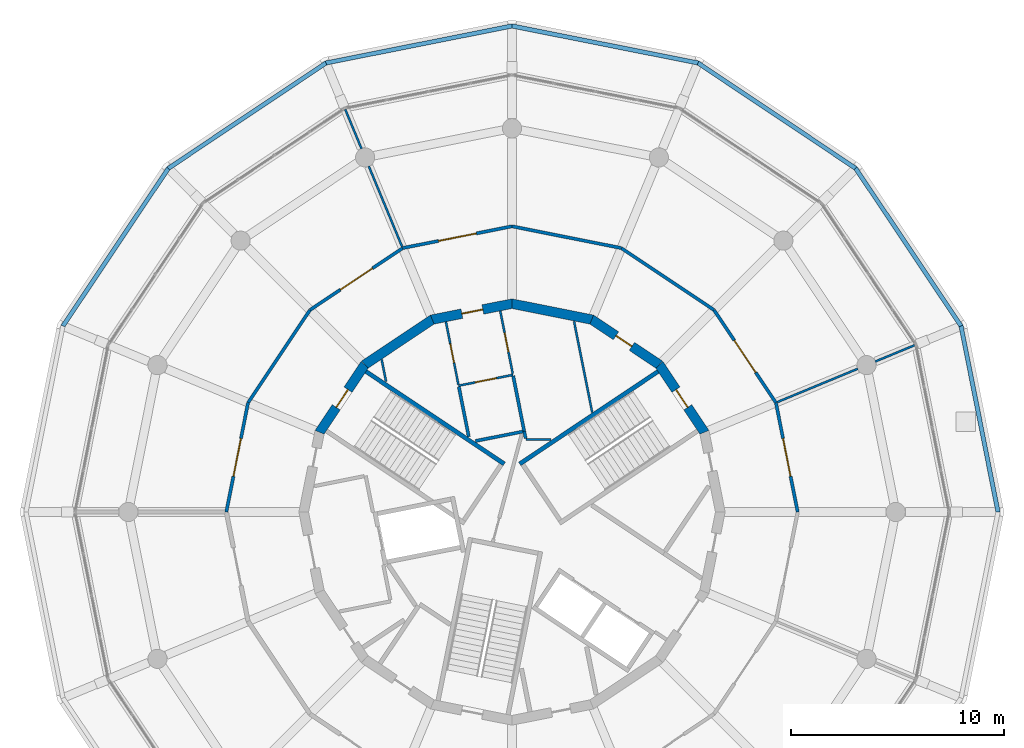
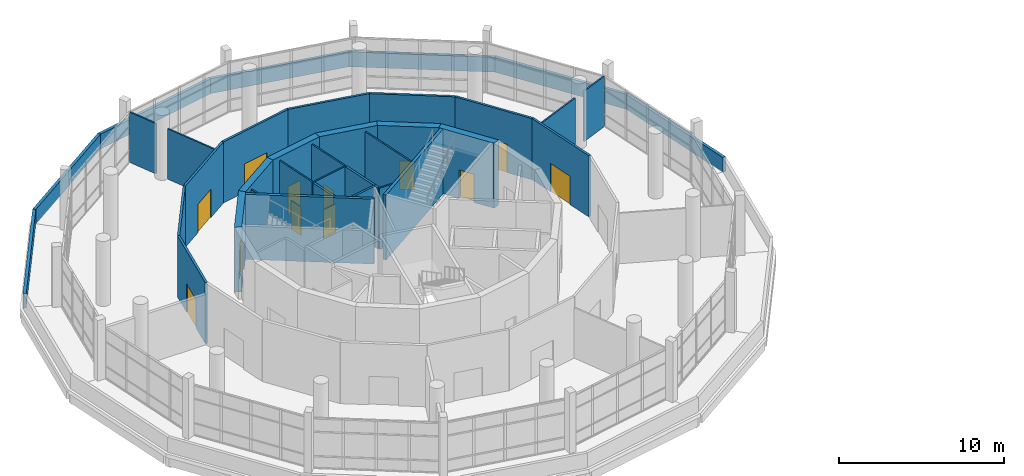
# One storey, part 18 of 21: 37 walls, 12 doors, 12 openings.
"""IFC4 building model written with IfcOpenShell, lengths in metres."""

from ifc_helpers import new_model, si_unit, direction, frame, frame_2d, origin, place, context, subcontext, project, spatial, polyline, rectangle, outline, extrude, material, layer, layer_set, type_object, element, fill, save


model = new_model("IFC4")

# Units and contexts
model_context = context("Model", 3, precision=1e-05, world=origin(), true_north=direction((0.0, 1.0)))
body_context = subcontext(model_context, "Body", "Model", "MODEL_VIEW")
ifc_project = project(units=[si_unit("LENGTHUNIT", "METRE"), si_unit("AREAUNIT", "SQUARE_METRE"), si_unit("VOLUMEUNIT", "CUBIC_METRE"), si_unit("PLANEANGLEUNIT", "RADIAN"), si_unit("MASSUNIT", "GRAM", prefix="KILO")], contexts=[model_context])

# Site, building, storey
site_placement = place(None, origin())
site = spatial("IfcSite", under=ifc_project, at=site_placement, CompositionType="ELEMENT")
building_placement = place(site_placement, origin())
building = spatial("IfcBuilding", under=site, at=building_placement, Name="Ceibo Conservatory and Research Tower", CompositionType="ELEMENT")
storey_placement = place(building_placement, frame((0.0, 0.0, 15.60009765625)))
storey = spatial("IfcBuildingStorey", under=building, at=storey_placement, Name="L03", CompositionType="ELEMENT", Elevation=15.60009765625)

# Wall, opening, door
ifc_material_1 = material(Name="Plasterboard on metal studs")
ifc_layer_1 = layer(ifc_material_1, 0.10009765625)
ifc_layer_set_1 = layer_set([ifc_layer_1], Name="Plasterboard on metal studs")
wall_type_1 = type_object("IfcWallType", Name="Core partition 100", PredefinedType="PARTITIONING", material=ifc_layer_set_1)
wall_1_placement = place(storey_placement, frame((48.0458984375, 126.4326171875, 0.0), z_axis=(0.0, 0.0, 1.0), x_axis=(-0.980778805994, -0.195122868248, 0.0)))
wall_1 = element("IfcWall", 1, at=wall_1_placement, inside=storey, type_object=wall_type_1, Name="Core partition 03.P008", PredefinedType="PARTITIONING", context=body_context, shape_type="SweptSolid", body=[
    extrude(rectangle(XDim=2.60009765625, YDim=0.10009765625, at=frame_2d((1.300048828125, 0.0))), origin(), (0.0, 0.0, 1.0), 4.52001953125),
])
opening_1_placement = place(wall_1_placement, frame((0.800048828125, 0.0, 0.0)))
opening_1 = element("IfcOpeningElement", 2, at=opening_1_placement, cuts=wall_1, Name="Opening C03-14", PredefinedType="OPENING", context=body_context, shape_type="SweptSolid", body=[
    extrude(rectangle(XDim=1.0, YDim=2.10009765625, at=frame_2d((0.5, 1.050048828125))), frame((0.0, 0.06005859375, 0.0), z_axis=(0.0, -1.0, 0.0), x_axis=(1.0, 0.0, 0.0)), (0.0, 0.0, 1.0), 0.1201171875),
])
ifc_material_2 = material(Name="Solid timber", Category="wood")
door_type_1 = type_object("IfcDoorType", Name="Door 1000x2100 (right hand)", OperationType="SINGLE_SWING_RIGHT", PredefinedType="DOOR", material=ifc_material_2)
door_1_placement = place(opening_1_placement, origin())
door_1 = element("IfcDoor", 3, at=door_1_placement, inside=storey, type_object=door_type_1, Name="Door Accessible WC 03.01", OperationType="SINGLE_SWING_RIGHT", OverallHeight=2.10009765625, OverallWidth=1.0, PredefinedType="DOOR", context=body_context, shape_type="SweptSolid", body=[
    extrude(rectangle(XDim=1.0, YDim=2.10009765625, at=frame_2d((0.5, 1.050048828125))), frame((0.0, 0.02490234375, 0.0), z_axis=(0.0, -1.0, 0.0), x_axis=(1.0, 0.0, 0.0)), (0.0, 0.0, 1.0), 0.050048828125),
])
fill(opening_1, door_1)

wall_2_placement = place(storey_placement, frame((45.486083984375, 125.974365234375, 0.0), z_axis=(0.0, 0.0, 1.0), x_axis=(-0.195054549846, 0.980792395252, 0.0)))
wall_2 = element("IfcWall", 4, at=wall_2_placement, inside=storey, type_object=wall_type_1, Name="Core partition 03.P009", PredefinedType="PARTITIONING", context=body_context, shape_type="SweptSolid", body=[
    extrude(rectangle(XDim=3.0078125, YDim=0.10009765625, at=frame_2d((1.50390625, 0.0))), origin(), (0.0, 0.0, 1.0), 4.52001953125),
])
opening_2_placement = place(wall_2_placement, frame((1.053955078125, 0.0, 0.0)))
opening_2 = element("IfcOpeningElement", 5, at=opening_2_placement, cuts=wall_2, Name="Opening C03-15", PredefinedType="OPENING", context=body_context, shape_type="SweptSolid", body=[
    extrude(rectangle(XDim=0.89990234375, YDim=2.10009765625, at=frame_2d((0.449951171875, 1.050048828125))), frame((0.0, 0.06005859375, 0.0), z_axis=(0.0, -1.0, 0.0), x_axis=(1.0, 0.0, 0.0)), (0.0, 0.0, 1.0), 0.1201171875),
])
door_type_2 = type_object("IfcDoorType", Name="Door 900x2100 (right hand)", OperationType="SINGLE_SWING_RIGHT", PredefinedType="DOOR", material=ifc_material_2)
door_2_placement = place(opening_2_placement, origin())
door_2 = element("IfcDoor", 6, at=door_2_placement, inside=storey, type_object=door_type_2, Name="Door Men WC 03.01", OperationType="SINGLE_SWING_RIGHT", OverallHeight=2.10009765625, OverallWidth=0.89990234375, PredefinedType="DOOR", context=body_context, shape_type="SweptSolid", body=[
    extrude(rectangle(XDim=0.89990234375, YDim=2.10009765625, at=frame_2d((0.449951171875, 1.050048828125))), frame((0.0, 0.02490234375, 0.0), z_axis=(0.0, -1.0, 0.0), x_axis=(1.0, 0.0, 0.0)), (0.0, 0.0, 1.0), 0.050048828125),
])
fill(opening_2, door_2)

wall_3_placement = place(storey_placement, frame((47.449462890625, 129.431640625, 0.0), z_axis=(0.0, 0.0, 1.0), x_axis=(0.195054549846, -0.980792395252, 0.0)))
wall_3 = element("IfcWall", 7, at=wall_3_placement, inside=storey, type_object=wall_type_1, Name="Core partition 03.P010", PredefinedType="PARTITIONING", context=body_context, shape_type="SweptSolid", body=[
    extrude(rectangle(XDim=3.0078125, YDim=0.10009765625, at=frame_2d((1.50390625, 0.0))), origin(), (0.0, 0.0, 1.0), 4.52001953125),
])
opening_3_placement = place(wall_3_placement, frame((1.053955078125, 0.0, 0.0)))
opening_3 = element("IfcOpeningElement", 8, at=opening_3_placement, cuts=wall_3, Name="Opening C03-16", PredefinedType="OPENING", context=body_context, shape_type="SweptSolid", body=[
    extrude(rectangle(XDim=0.89990234375, YDim=2.10009765625, at=frame_2d((0.449951171875, 1.050048828125))), frame((0.0, 0.06005859375, 0.0), z_axis=(0.0, -1.0, 0.0), x_axis=(1.0, 0.0, 0.0)), (0.0, 0.0, 1.0), 0.1201171875),
])
door_type_3 = type_object("IfcDoorType", Name="Door 900x2100 (left hand)", OperationType="SINGLE_SWING_LEFT", PredefinedType="DOOR", material=ifc_material_2)
door_3_placement = place(opening_3_placement, origin())
door_3 = element("IfcDoor", 9, at=door_3_placement, inside=storey, type_object=door_type_3, Name="Door Women WC 03.01", OperationType="SINGLE_SWING_LEFT", OverallHeight=2.10009765625, OverallWidth=0.89990234375, PredefinedType="DOOR", context=body_context, shape_type="SweptSolid", body=[
    extrude(rectangle(XDim=0.89990234375, YDim=2.10009765625, at=frame_2d((0.449951171875, 1.050048828125))), frame((0.0, 0.02490234375, 0.0), z_axis=(0.0, -1.0, 0.0), x_axis=(1.0, 0.0, 0.0)), (0.0, 0.0, 1.0), 0.050048828125),
])
fill(opening_3, door_3)

# Walls
wall_4_placement = place(storey_placement, frame((42.092529296875, 126.120361328125, 0.0), z_axis=(0.0, 0.0, 1.0), x_axis=(-0.195175461866, 0.980768341192, 0.0)))
element("IfcWall", 10, at=wall_4_placement, inside=storey, type_object=wall_type_1, Name="Core partition 03.P014", PredefinedType="PARTITIONING", context=body_context, shape_type="SweptSolid", body=[
    extrude(rectangle(XDim=1.04833984375, YDim=0.10009765625, at=frame_2d((0.524169921875, 0.0))), origin(), (0.0, 0.0, 1.0), 4.52001953125),
])
wall_5_placement = place(storey_placement, frame((50.9111328125, 128.943359375, 0.0), z_axis=(0.0, 0.0, 1.0), x_axis=(0.195113868301, -0.980780596462, 0.0)))
element("IfcWall", 11, at=wall_5_placement, inside=storey, type_object=wall_type_1, Name="Core partition 03.P015", PredefinedType="PARTITIONING", context=body_context, shape_type="SweptSolid", body=[
    extrude(rectangle(XDim=4.35693359375, YDim=0.10009765625, at=frame_2d((2.178466796875, 0.0))), origin(), (0.0, 0.0, 1.0), 4.52001953125),
])
wall_6_placement = place(storey_placement, frame((49.823486328125, 123.39990234375, 0.0), z_axis=(0.0, 0.0, 1.0), x_axis=(-1.0, 0.0, 0.0)))
element("IfcWall", 12, at=wall_6_placement, inside=storey, type_object=wall_type_1, Name="Core partition 03.P016", PredefinedType="PARTITIONING", context=body_context, shape_type="SweptSolid", body=[
    extrude(rectangle(XDim=1.17431640625, YDim=0.10009765625, at=frame_2d((0.587158203125, 0.0))), origin(), (0.0, 0.0, 1.0), 4.52001953125),
])

# Wall, opening, door
ifc_material_3 = material(Name="Concrete C35/45", Category="concrete")
ifc_layer_2 = layer(ifc_material_3, 0.449951171875)
ifc_layer_set_2 = layer_set([ifc_layer_2], Name="Concrete C35/45")
wall_type_2 = type_object("IfcWallType", Name="Core wall 450 C35", PredefinedType="SHEAR", material=ifc_layer_set_2)
wall_7_placement = place(storey_placement, frame((57.02685546875, 123.739013671875, 0.0), z_axis=(0.0, 0.0, 1.0), x_axis=(-0.555542277102, 0.83148829117, 0.0)))
wall_7 = element("IfcWall", 13, at=wall_7_placement, inside=storey, type_object=wall_type_2, Name="Core wall L03 02", PredefinedType="SHEAR", context=body_context, shape_type="SweptSolid", body=[
    extrude(outline(polyline([(-0.044677734375, -0.22509765625), (3.85693359375, -0.22509765625), (3.767578125, 0.22509765625), (0.044677734375, 0.22509765625), (-0.044677734375, -0.22509765625)])), origin(), (0.0, 0.0, 1.0), 4.7998046875),
])
opening_4_placement = place(wall_7_placement, frame((1.40625, 0.0, 0.0)))
opening_4 = element("IfcOpeningElement", 14, at=opening_4_placement, cuts=wall_7, Name="Opening C03-01", PredefinedType="OPENING", context=body_context, shape_type="SweptSolid", body=[
    extrude(rectangle(XDim=1.0, YDim=2.10009765625, at=frame_2d((0.5, 1.050048828125))), frame((0.0, 0.23486328125, 0.0), z_axis=(0.0, -1.0, 0.0), x_axis=(1.0, 0.0, 0.0)), (0.0, 0.0, 1.0), 0.469970703125),
])
ifc_material_4 = material(Name="Galvanised sheet steel DX51D", Category="steel")
door_type_4 = type_object("IfcDoorType", Name="Stair door 1000x2100 EI 120 (left hand)", OperationType="SINGLE_SWING_LEFT", PredefinedType="DOOR", material=ifc_material_4)
door_4_placement = place(opening_4_placement, origin())
door_4 = element("IfcDoor", 15, at=door_4_placement, inside=storey, type_object=door_type_4, Name="Stair door ST1 03", OperationType="SINGLE_SWING_LEFT", OverallHeight=2.10009765625, OverallWidth=1.0, PredefinedType="DOOR", context=body_context, shape_type="SweptSolid", body=[
    extrude(rectangle(XDim=1.0, YDim=2.10009765625, at=frame_2d((0.5, 1.050048828125))), frame((0.0, 0.02490234375, 0.0), z_axis=(0.0, -1.0, 0.0), x_axis=(1.0, 0.0, 0.0)), (0.0, 0.0, 1.0), 0.050048828125),
])
fill(opening_4, door_4)

wall_8_placement = place(storey_placement, frame((54.908935546875, 126.908935546875, 0.0), z_axis=(0.0, 0.0, 1.0), x_axis=(-0.83148829117, 0.555542277102, 0.0)))
wall_8 = element("IfcWall", 16, at=wall_8_placement, inside=storey, type_object=wall_type_2, Name="Core wall L03 03", PredefinedType="SHEAR", context=body_context, shape_type="SweptSolid", body=[
    extrude(outline(polyline([(-0.044677734375, -0.22509765625), (3.85693359375, -0.22509765625), (3.767578125, 0.22509765625), (0.044677734375, 0.22509765625), (-0.044677734375, -0.22509765625)])), origin(), (0.0, 0.0, 1.0), 4.7998046875),
])
opening_5_placement = place(wall_8_placement, frame((1.544677734375, 0.0, 0.0)))
opening_5 = element("IfcOpeningElement", 17, at=opening_5_placement, cuts=wall_8, Name="Opening C03-08", PredefinedType="OPENING", context=body_context, shape_type="SweptSolid", body=[
    extrude(rectangle(XDim=0.89990234375, YDim=2.10009765625, at=frame_2d((0.449951171875, 1.050048828125))), frame((0.0, 0.23486328125, 0.0), z_axis=(0.0, -1.0, 0.0), x_axis=(1.0, 0.0, 0.0)), (0.0, 0.0, 1.0), 0.469970703125),
])
door_type_5 = type_object("IfcDoorType", Name="Riser door 900x2100 EI 60 (left hand)", OperationType="SINGLE_SWING_LEFT", PredefinedType="DOOR", material=ifc_material_4)
door_5_placement = place(opening_5_placement, frame((0.89990234375, 0.0, 0.0), z_axis=(0.0, 0.0, 1.0), x_axis=(-1.0, 0.0, 0.0)))
door_5 = element("IfcDoor", 18, at=door_5_placement, inside=storey, type_object=door_type_5, Name="Electrical Riser door 03", OperationType="SINGLE_SWING_LEFT", OverallHeight=2.10009765625, OverallWidth=0.89990234375, PredefinedType="DOOR", context=body_context, shape_type="SweptSolid", body=[
    extrude(rectangle(XDim=0.89990234375, YDim=2.10009765625, at=frame_2d((0.449951171875, 1.050048828125))), frame((0.0, 0.02490234375, 0.0), z_axis=(0.0, -1.0, 0.0), x_axis=(1.0, 0.0, 0.0)), (0.0, 0.0, 1.0), 0.050048828125),
])
fill(opening_5, door_5)

# Wall
wall_9_placement = place(storey_placement, frame((51.739013671875, 129.02685546875, 0.0), z_axis=(0.0, 0.0, 1.0), x_axis=(-0.98078948206, 0.195069197673, 0.0)))
element("IfcWall", 19, at=wall_9_placement, inside=storey, type_object=wall_type_2, Name="Core wall L03 04", PredefinedType="SHEAR", context=body_context, shape_type="SweptSolid", body=[
    extrude(outline(polyline([(-0.044677734375, -0.22509765625), (3.85693359375, -0.22509765625), (3.767578125, 0.22509765625), (0.044677734375, 0.22509765625), (-0.044677734375, -0.22509765625)])), origin(), (0.0, 0.0, 1.0), 4.7998046875),
])

# Wall, opening, door
wall_10_placement = place(storey_placement, frame((48.0, 129.7705078125, 0.0), z_axis=(0.0, 0.0, 1.0), x_axis=(-0.98078948206, -0.195069197673, 0.0)))
wall_10 = element("IfcWall", 20, at=wall_10_placement, inside=storey, type_object=wall_type_2, Name="Core wall L03 05", PredefinedType="SHEAR", context=body_context, shape_type="SweptSolid", body=[
    extrude(outline(polyline([(-0.044677734375, -0.22509765625), (3.85693359375, -0.22509765625), (3.767578125, 0.22509765625), (0.044677734375, 0.22509765625), (-0.044677734375, -0.22509765625)])), origin(), (0.0, 0.0, 1.0), 4.7998046875),
])
opening_6_placement = place(wall_10_placement, frame((1.394775390625, 0.0, 0.0)))
opening_6 = element("IfcOpeningElement", 21, at=opening_6_placement, cuts=wall_10, Name="Opening C03-07", PredefinedType="OPENING", context=body_context, shape_type="SweptSolid", body=[
    extrude(rectangle(XDim=1.0, YDim=2.10009765625, at=frame_2d((0.5, 1.050048828125))), frame((0.0, 0.23486328125, 0.0), z_axis=(0.0, -1.0, 0.0), x_axis=(1.0, 0.0, 0.0)), (0.0, 0.0, 1.0), 0.469970703125),
])
door_type_6 = type_object("IfcDoorType", Name="Lobby door 1000x2100 EI 60 (left hand)", OperationType="SINGLE_SWING_LEFT", PredefinedType="DOOR", material=ifc_material_4)
door_6_placement = place(opening_6_placement, frame((1.0, 0.0, 0.0), z_axis=(0.0, 0.0, 1.0), x_axis=(-1.0, 0.0, 0.0)))
door_6 = element("IfcDoor", 22, at=door_6_placement, inside=storey, type_object=door_type_6, Name="WC Lobby door 03", OperationType="SINGLE_SWING_LEFT", OverallHeight=2.10009765625, OverallWidth=1.0, PredefinedType="DOOR", context=body_context, shape_type="SweptSolid", body=[
    extrude(rectangle(XDim=1.0, YDim=2.10009765625, at=frame_2d((0.5, 1.050048828125))), frame((0.0, 0.02490234375, 0.0), z_axis=(0.0, -1.0, 0.0), x_axis=(1.0, 0.0, 0.0)), (0.0, 0.0, 1.0), 0.050048828125),
])
fill(opening_6, door_6)

# Wall
wall_11_placement = place(storey_placement, frame((44.260986328125, 129.02685546875, 0.0), z_axis=(0.0, 0.0, 1.0), x_axis=(-0.83148829117, -0.555542277102, 0.0)))
element("IfcWall", 23, at=wall_11_placement, inside=storey, type_object=wall_type_2, Name="Core wall L03 06", PredefinedType="SHEAR", context=body_context, shape_type="SweptSolid", body=[
    extrude(outline(polyline([(-0.044677734375, -0.22509765625), (3.85693359375, -0.22509765625), (3.767578125, 0.22509765625), (0.044677734375, 0.22509765625), (-0.044677734375, -0.22509765625)])), origin(), (0.0, 0.0, 1.0), 4.7998046875),
])

# Wall, opening, door
wall_12_placement = place(storey_placement, frame((41.091064453125, 126.908935546875, 0.0), z_axis=(0.0, 0.0, 1.0), x_axis=(-0.555542277102, -0.83148829117, 0.0)))
wall_12 = element("IfcWall", 24, at=wall_12_placement, inside=storey, type_object=wall_type_2, Name="Core wall L03 07", PredefinedType="SHEAR", context=body_context, shape_type="SweptSolid", body=[
    extrude(outline(polyline([(-0.044677734375, -0.22509765625), (3.85693359375, -0.22509765625), (3.767578125, 0.22509765625), (0.044677734375, 0.22509765625), (-0.044677734375, -0.22509765625)])), origin(), (0.0, 0.0, 1.0), 4.7998046875),
])
opening_7_placement = place(wall_12_placement, frame((1.40625, 0.0, 0.0)))
opening_7 = element("IfcOpeningElement", 25, at=opening_7_placement, cuts=wall_12, Name="Opening C03-02", PredefinedType="OPENING", context=body_context, shape_type="SweptSolid", body=[
    extrude(rectangle(XDim=1.0, YDim=2.10009765625, at=frame_2d((0.5, 1.050048828125))), frame((0.0, 0.23486328125, 0.0), z_axis=(0.0, -1.0, 0.0), x_axis=(1.0, 0.0, 0.0)), (0.0, 0.0, 1.0), 0.469970703125),
])
door_type_7 = type_object("IfcDoorType", Name="Stair door 1000x2100 EI 120 (right hand)", OperationType="SINGLE_SWING_RIGHT", PredefinedType="DOOR", material=ifc_material_4)
door_7_placement = place(opening_7_placement, origin())
door_7 = element("IfcDoor", 26, at=door_7_placement, inside=storey, type_object=door_type_7, Name="Stair door ST2 03", OperationType="SINGLE_SWING_RIGHT", OverallHeight=2.10009765625, OverallWidth=1.0, PredefinedType="DOOR", context=body_context, shape_type="SweptSolid", body=[
    extrude(rectangle(XDim=1.0, YDim=2.10009765625, at=frame_2d((0.5, 1.050048828125))), frame((0.0, 0.02490234375, 0.0), z_axis=(0.0, -1.0, 0.0), x_axis=(1.0, 0.0, 0.0)), (0.0, 0.0, 1.0), 0.050048828125),
])
fill(opening_7, door_7)

# Walls
ifc_material_5 = material(Name="Plasterboard on metal studs, fire board")
ifc_layer_3 = layer(ifc_material_5, 0.14990234375)
ifc_layer_set_3 = layer_set([ifc_layer_3], Name="Plasterboard on metal studs, fire board")
wall_type_3 = type_object("IfcWallType", Name="Corridor wall 150 EI 60", PredefinedType="PARTITIONING", material=ifc_layer_set_3)
wall_13_placement = place(storey_placement, frame((48.0556640625, 126.383544921875, 0.0), z_axis=(0.0, 0.0, 1.0), x_axis=(0.195123903338, -0.980778600065, 0.0)))
element("IfcWall", 27, at=wall_13_placement, inside=storey, type_object=wall_type_3, Name="Core partition 03.P011", PredefinedType="PARTITIONING", context=body_context, shape_type="SweptSolid", body=[
    extrude(rectangle(XDim=2.650146484375, YDim=0.14990234375, at=frame_2d((1.3251953125, 0.0))), origin(), (0.0, 0.0, 1.0), 4.52001953125),
])
wall_14_placement = place(storey_placement, frame((48.523681640625, 123.774658203125, 0.0), z_axis=(0.0, 0.0, 1.0), x_axis=(-0.980777249161, -0.195130693455, 0.0)))
element("IfcWall", 28, at=wall_14_placement, inside=storey, type_object=wall_type_3, Name="Core partition 03.P012", PredefinedType="PARTITIONING", context=body_context, shape_type="SweptSolid", body=[
    extrude(rectangle(XDim=2.287109375, YDim=0.14990234375, at=frame_2d((1.1435546875, 0.0))), origin(), (0.0, 0.0, 1.0), 4.52001953125),
])
wall_15_placement = place(storey_placement, frame((45.972900390625, 123.527587890625, 0.0), z_axis=(0.0, 0.0, 1.0), x_axis=(-0.195135731435, 0.980776246815, 0.0)))
element("IfcWall", 29, at=wall_15_placement, inside=storey, type_object=wall_type_3, Name="Core partition 03.P013", PredefinedType="PARTITIONING", context=body_context, shape_type="SweptSolid", body=[
    extrude(rectangle(XDim=2.394775390625, YDim=0.14990234375, at=frame_2d((1.197265625, 0.0))), origin(), (0.0, 0.0, 1.0), 4.52001953125),
])
wall_16_placement = place(storey_placement, frame((48.639404296875, 123.448974609375, 0.0), z_axis=(0.0, 0.0, 1.0), x_axis=(-0.194880473507, 0.98082699853, 0.0)))
element("IfcWall", 30, at=wall_16_placement, inside=storey, type_object=wall_type_3, Name="Core partition 03.P017", PredefinedType="PARTITIONING", context=body_context, shape_type="SweptSolid", body=[
    extrude(rectangle(XDim=0.342041015625, YDim=0.14990234375, at=frame_2d((0.1708984375, 0.0))), origin(), (0.0, 0.0, 1.0), 4.52001953125),
])
wall_17_placement = place(storey_placement, frame((48.0, 133.39990234375, 0.0), z_axis=(0.0, 0.0, 1.0), x_axis=(0.980784881595, -0.195092326952, 0.0)))
element("IfcWall", 31, at=wall_17_placement, inside=storey, type_object=wall_type_3, Name="Partition 03.001", PredefinedType="PARTITIONING", context=body_context, shape_type="SweptSolid", body=[
    extrude(rectangle(XDim=5.228515625, YDim=0.14990234375, at=frame_2d((2.6142578125, 0.0))), origin(), (0.0, 0.0, 1.0), 4.52001953125),
])
wall_18_placement = place(storey_placement, frame((53.1279296875, 132.3798828125, 0.0), z_axis=(0.0, 0.0, 1.0), x_axis=(0.831460742974, -0.555583506678, 0.0)))
element("IfcWall", 32, at=wall_18_placement, inside=storey, type_object=wall_type_3, Name="Partition 03.002", PredefinedType="PARTITIONING", context=body_context, shape_type="SweptSolid", body=[
    extrude(rectangle(XDim=5.228271484375, YDim=0.14990234375, at=frame_2d((2.6142578125, 0.0))), origin(), (0.0, 0.0, 1.0), 4.52001953125),
])

# Wall, opening, door
wall_19_placement = place(storey_placement, frame((57.47509765625, 129.47509765625, 0.0), z_axis=(0.0, 0.0, 1.0), x_axis=(0.555583506678, -0.831460742974, 0.0)))
wall_19 = element("IfcWall", 33, at=wall_19_placement, inside=storey, type_object=wall_type_3, Name="Partition 03.003", PredefinedType="PARTITIONING", context=body_context, shape_type="SweptSolid", body=[
    extrude(rectangle(XDim=5.228271484375, YDim=0.14990234375, at=frame_2d((2.6142578125, 0.0))), origin(), (0.0, 0.0, 1.0), 4.52001953125),
])
opening_8_placement = place(wall_19_placement, frame((1.71435546875, 0.0, 0.0)))
opening_8 = element("IfcOpeningElement", 34, at=opening_8_placement, cuts=wall_19, Name="Opening T03-01", PredefinedType="OPENING", context=body_context, shape_type="SweptSolid", body=[
    extrude(rectangle(XDim=1.800048828125, YDim=2.10009765625, at=frame_2d((0.89990234375, 1.050048828125))), frame((0.0, 0.0849609375, 0.0), z_axis=(0.0, -1.0, 0.0), x_axis=(1.0, 0.0, 0.0)), (0.0, 0.0, 1.0), 0.169921875),
])
door_type_8 = type_object("IfcDoorType", Name="Door fire double 1800x2100 EI 60", OperationType="DOUBLE_DOOR_SINGLE_SWING", PredefinedType="DOOR", material=ifc_material_4)
door_8_placement = place(opening_8_placement, origin())
door_8 = element("IfcDoor", 35, at=door_8_placement, inside=storey, type_object=door_type_8, Name="Door T03-01", OperationType="DOUBLE_DOOR_SINGLE_SWING", OverallHeight=2.10009765625, OverallWidth=1.800048828125, PredefinedType="DOOR", context=body_context, shape_type="SweptSolid", body=[
    extrude(rectangle(XDim=1.800048828125, YDim=2.10009765625, at=frame_2d((0.89990234375, 1.050048828125))), frame((0.0, 0.02490234375, 0.0), z_axis=(0.0, -1.0, 0.0), x_axis=(1.0, 0.0, 0.0)), (0.0, 0.0, 1.0), 0.050048828125),
])
fill(opening_8, door_8)

wall_20_placement = place(storey_placement, frame((60.3798828125, 125.1279296875, 0.0), z_axis=(0.0, 0.0, 1.0), x_axis=(0.195092326952, -0.980784881595, 0.0)))
wall_20 = element("IfcWall", 36, at=wall_20_placement, inside=storey, type_object=wall_type_3, Name="Partition 03.004", PredefinedType="PARTITIONING", context=body_context, shape_type="SweptSolid", body=[
    extrude(rectangle(XDim=5.228515625, YDim=0.14990234375, at=frame_2d((2.6142578125, 0.0))), origin(), (0.0, 0.0, 1.0), 4.52001953125),
])
opening_9_placement = place(wall_20_placement, frame((1.71435546875, 0.0, 0.0)))
opening_9 = element("IfcOpeningElement", 37, at=opening_9_placement, cuts=wall_20, Name="Opening T03-12", PredefinedType="OPENING", context=body_context, shape_type="SweptSolid", body=[
    extrude(rectangle(XDim=1.800048828125, YDim=2.10009765625, at=frame_2d((0.89990234375, 1.050048828125))), frame((0.0, 0.0849609375, 0.0), z_axis=(0.0, -1.0, 0.0), x_axis=(1.0, 0.0, 0.0)), (0.0, 0.0, 1.0), 0.169921875),
])
door_9_placement = place(opening_9_placement, origin())
door_9 = element("IfcDoor", 38, at=door_9_placement, inside=storey, type_object=door_type_8, Name="Door T03-12", OperationType="DOUBLE_DOOR_SINGLE_SWING", OverallHeight=2.10009765625, OverallWidth=1.800048828125, PredefinedType="DOOR", context=body_context, shape_type="SweptSolid", body=[
    extrude(rectangle(XDim=1.800048828125, YDim=2.10009765625, at=frame_2d((0.89990234375, 1.050048828125))), frame((0.0, 0.02490234375, 0.0), z_axis=(0.0, -1.0, 0.0), x_axis=(1.0, 0.0, 0.0)), (0.0, 0.0, 1.0), 0.050048828125),
])
fill(opening_9, door_9)

wall_21_placement = place(storey_placement, frame((42.8720703125, 132.3798828125, 0.0), z_axis=(0.0, 0.0, 1.0), x_axis=(0.980784881595, 0.195092326952, 0.0)))
wall_21 = element("IfcWall", 39, at=wall_21_placement, inside=storey, type_object=wall_type_3, Name="Partition 03.005", PredefinedType="PARTITIONING", context=body_context, shape_type="SweptSolid", body=[
    extrude(rectangle(XDim=5.228515625, YDim=0.14990234375, at=frame_2d((2.6142578125, 0.0))), origin(), (0.0, 0.0, 1.0), 4.52001953125),
])
opening_10_placement = place(wall_21_placement, frame((1.71435546875, 0.0, 0.0)))
opening_10 = element("IfcOpeningElement", 40, at=opening_10_placement, cuts=wall_21, Name="Opening T03-02", PredefinedType="OPENING", context=body_context, shape_type="SweptSolid", body=[
    extrude(rectangle(XDim=1.800048828125, YDim=2.10009765625, at=frame_2d((0.89990234375, 1.050048828125))), frame((0.0, 0.0849609375, 0.0), z_axis=(0.0, -1.0, 0.0), x_axis=(1.0, 0.0, 0.0)), (0.0, 0.0, 1.0), 0.169921875),
])
door_10_placement = place(opening_10_placement, origin())
door_10 = element("IfcDoor", 41, at=door_10_placement, inside=storey, type_object=door_type_8, Name="Door T03-02", OperationType="DOUBLE_DOOR_SINGLE_SWING", OverallHeight=2.10009765625, OverallWidth=1.800048828125, PredefinedType="DOOR", context=body_context, shape_type="SweptSolid", body=[
    extrude(rectangle(XDim=1.800048828125, YDim=2.10009765625, at=frame_2d((0.89990234375, 1.050048828125))), frame((0.0, 0.02490234375, 0.0), z_axis=(0.0, -1.0, 0.0), x_axis=(1.0, 0.0, 0.0)), (0.0, 0.0, 1.0), 0.050048828125),
])
fill(opening_10, door_10)

wall_22_placement = place(storey_placement, frame((34.60009765625, 120.0, 0.0), z_axis=(0.0, 0.0, 1.0), x_axis=(0.195092326952, 0.980784881595, 0.0)))
wall_22 = element("IfcWall", 42, at=wall_22_placement, inside=storey, type_object=wall_type_3, Name="Partition 03.006", PredefinedType="PARTITIONING", context=body_context, shape_type="SweptSolid", body=[
    extrude(rectangle(XDim=5.228515625, YDim=0.14990234375, at=frame_2d((2.6142578125, 0.0))), origin(), (0.0, 0.0, 1.0), 4.52001953125),
])
opening_11_placement = place(wall_22_placement, frame((1.71435546875, 0.0, 0.0)))
opening_11 = element("IfcOpeningElement", 43, at=opening_11_placement, cuts=wall_22, Name="Opening T03-04", PredefinedType="OPENING", context=body_context, shape_type="SweptSolid", body=[
    extrude(rectangle(XDim=1.800048828125, YDim=2.10009765625, at=frame_2d((0.89990234375, 1.050048828125))), frame((0.0, 0.0849609375, 0.0), z_axis=(0.0, -1.0, 0.0), x_axis=(1.0, 0.0, 0.0)), (0.0, 0.0, 1.0), 0.169921875),
])
door_11_placement = place(opening_11_placement, origin())
door_11 = element("IfcDoor", 44, at=door_11_placement, inside=storey, type_object=door_type_8, Name="Door T03-04", OperationType="DOUBLE_DOOR_SINGLE_SWING", OverallHeight=2.10009765625, OverallWidth=1.800048828125, PredefinedType="DOOR", context=body_context, shape_type="SweptSolid", body=[
    extrude(rectangle(XDim=1.800048828125, YDim=2.10009765625, at=frame_2d((0.89990234375, 1.050048828125))), frame((0.0, 0.02490234375, 0.0), z_axis=(0.0, -1.0, 0.0), x_axis=(1.0, 0.0, 0.0)), (0.0, 0.0, 1.0), 0.050048828125),
])
fill(opening_11, door_11)

# Wall
wall_23_placement = place(storey_placement, frame((35.6201171875, 125.1279296875, 0.0), z_axis=(0.0, 0.0, 1.0), x_axis=(0.555583506678, 0.831460742974, 0.0)))
element("IfcWall", 45, at=wall_23_placement, inside=storey, type_object=wall_type_3, Name="Partition 03.007", PredefinedType="PARTITIONING", context=body_context, shape_type="SweptSolid", body=[
    extrude(rectangle(XDim=5.228271484375, YDim=0.14990234375, at=frame_2d((2.6142578125, 0.0))), origin(), (0.0, 0.0, 1.0), 4.52001953125),
])

# Wall, opening, door
wall_24_placement = place(storey_placement, frame((38.52490234375, 129.47509765625, 0.0), z_axis=(0.0, 0.0, 1.0), x_axis=(0.831460742974, 0.555583506678, 0.0)))
wall_24 = element("IfcWall", 46, at=wall_24_placement, inside=storey, type_object=wall_type_3, Name="Partition 03.008", PredefinedType="PARTITIONING", context=body_context, shape_type="SweptSolid", body=[
    extrude(rectangle(XDim=5.228271484375, YDim=0.14990234375, at=frame_2d((2.6142578125, 0.0))), origin(), (0.0, 0.0, 1.0), 4.52001953125),
])
opening_12_placement = place(wall_24_placement, frame((1.71435546875, 0.0, 0.0)))
opening_12 = element("IfcOpeningElement", 47, at=opening_12_placement, cuts=wall_24, Name="Opening T03-03", PredefinedType="OPENING", context=body_context, shape_type="SweptSolid", body=[
    extrude(rectangle(XDim=1.800048828125, YDim=2.10009765625, at=frame_2d((0.89990234375, 1.050048828125))), frame((0.0, 0.0849609375, 0.0), z_axis=(0.0, -1.0, 0.0), x_axis=(1.0, 0.0, 0.0)), (0.0, 0.0, 1.0), 0.169921875),
])
door_12_placement = place(opening_12_placement, origin())
door_12 = element("IfcDoor", 48, at=door_12_placement, inside=storey, type_object=door_type_8, Name="Door T03-03", OperationType="DOUBLE_DOOR_SINGLE_SWING", OverallHeight=2.10009765625, OverallWidth=1.800048828125, PredefinedType="DOOR", context=body_context, shape_type="SweptSolid", body=[
    extrude(rectangle(XDim=1.800048828125, YDim=2.10009765625, at=frame_2d((0.89990234375, 1.050048828125))), frame((0.0, 0.02490234375, 0.0), z_axis=(0.0, -1.0, 0.0), x_axis=(1.0, 0.0, 0.0)), (0.0, 0.0, 1.0), 0.050048828125),
])
fill(opening_12, door_12)

# Walls
ifc_material_6 = material(Name="Ceramic mosaic tessera")
ifc_layer_4 = layer(ifc_material_6, 0.010009765625, Name="Ceramic mosaic")
ifc_material_7 = material(Name="Concrete C30/37", Category="concrete")
ifc_layer_5 = layer(ifc_material_7, 0.18994140625, Name="Reinforced concrete leaf")
ifc_layer_set_4 = layer_set([ifc_layer_4, ifc_layer_5], Name="Concrete C30/37")
wall_type_4 = type_object("IfcWallType", Name="Parapet wall 200", PredefinedType="PARAPET", material=ifc_layer_set_4)
wall_25_placement = place(storey_placement, frame((70.798095703125, 120.0, 0.0), z_axis=(0.0, 0.0, 1.0), x_axis=(-0.195086798781, 0.980785981212, 0.0)))
element("IfcWall", 49, at=wall_25_placement, inside=storey, type_object=wall_type_4, Name="Parapet L03 1", PredefinedType="PARAPET", context=body_context, shape_type="SweptSolid", body=[
    extrude(outline(polyline([(-0.019775390625, -0.10009765625), (8.9150390625, -0.10009765625), (8.87548828125, 0.10009765625), (0.019775390625, 0.10009765625), (-0.019775390625, -0.10009765625)])), origin(), (0.0, 0.0, 1.0), 1.099853515625),
])
for number, where, z_axis, x_axis, name in (
    (50, (69.062744140625, 128.724365234375, 0.0), (0.0, 0.0, 1.0), (-0.555580254501, 0.831462916075, 0.0), "Parapet L03 2"),
    (51, (64.12060546875, 136.12060546875, 0.0), (0.0, 0.0, 1.0), (-0.831462916075, 0.555580254501, 0.0), "Parapet L03 3"),
):
    element("IfcWall", number, at=place(storey_placement, frame(where, z_axis=z_axis, x_axis=x_axis)), inside=storey, type_object=wall_type_4, Name=name, PredefinedType="PARAPET", context=body_context, shape_type="SweptSolid", body=[
        extrude(outline(polyline([(-0.019775390625, -0.10009765625), (8.915283203125, -0.10009765625), (8.875732421875, 0.10009765625), (0.019775390625, 0.10009765625), (-0.019775390625, -0.10009765625)])), origin(), (0.0, 0.0, 1.0), 1.099853515625),
    ])
for number, where, z_axis, x_axis, name in (
    (52, (56.724365234375, 141.062744140625, 0.0), (0.0, 0.0, 1.0), (-0.980785981212, 0.195086798781, 0.0), "Parapet L03 4"),
    (53, (48.0, 142.798095703125, 0.0), (0.0, 0.0, 1.0), (-0.980785981212, -0.195086798781, 0.0), "Parapet L03 5"),
):
    element("IfcWall", number, at=place(storey_placement, frame(where, z_axis=z_axis, x_axis=x_axis)), inside=storey, type_object=wall_type_4, Name=name, PredefinedType="PARAPET", context=body_context, shape_type="SweptSolid", body=[
        extrude(outline(polyline([(-0.019775390625, -0.10009765625), (8.9150390625, -0.10009765625), (8.87548828125, 0.10009765625), (0.019775390625, 0.10009765625), (-0.019775390625, -0.10009765625)])), origin(), (0.0, 0.0, 1.0), 1.099853515625),
    ])
for number, where, z_axis, x_axis, name in (
    (54, (39.275634765625, 141.062744140625, 0.0), (0.0, 0.0, 1.0), (-0.831462916075, -0.555580254501, 0.0), "Parapet L03 6"),
    (55, (31.87939453125, 136.12060546875, 0.0), (0.0, 0.0, 1.0), (-0.555580254501, -0.831462916075, 0.0), "Parapet L03 7"),
):
    element("IfcWall", number, at=place(storey_placement, frame(where, z_axis=z_axis, x_axis=x_axis)), inside=storey, type_object=wall_type_4, Name=name, PredefinedType="PARAPET", context=body_context, shape_type="SweptSolid", body=[
        extrude(outline(polyline([(-0.019775390625, -0.10009765625), (8.915283203125, -0.10009765625), (8.875732421875, 0.10009765625), (0.019775390625, 0.10009765625), (-0.019775390625, -0.10009765625)])), origin(), (0.0, 0.0, 1.0), 1.099853515625),
    ])
ifc_layer_6 = layer(ifc_material_1, 0.10009765625)
ifc_layer_set_5 = layer_set([ifc_layer_6], Name="Plasterboard on metal studs")
wall_type_5 = type_object("IfcWallType", Name="Partition 100", PredefinedType="PARTITIONING", material=ifc_layer_set_5)
wall_26_placement = place(storey_placement, frame((40.943359375, 137.036376953125, 0.0), z_axis=(0.0, 0.0, 1.0), x_axis=(-0.382758203112, 0.923848557909, 0.0)))
element("IfcWall", 56, at=wall_26_placement, inside=storey, type_object=wall_type_5, Name="Partition 03.017", PredefinedType="PARTITIONING", context=body_context, shape_type="SweptSolid", body=[
    extrude(rectangle(XDim=1.998291015625, YDim=0.10009765625, at=frame_2d((0.9990234375, 0.0))), origin(), (0.0, 0.0, 1.0), 3.719970703125),
])
for number, where, z_axis, x_axis, name in (
    (57, (42.8447265625, 132.446044921875, 0.0), (0.0, 0.0, 1.0), (-0.38269809899, 0.92387345726, 0.0), "Partition 03.018"),
    (58, (64.223388671875, 126.719970703125, 0.0), (0.0, 0.0, 1.0), (-0.92387345726, -0.38269809899, 0.0), "Partition 03.019"),
):
    element("IfcWall", number, at=place(storey_placement, frame(where, z_axis=z_axis, x_axis=x_axis)), inside=storey, type_object=wall_type_5, Name=name, PredefinedType="PARTITIONING", context=body_context, shape_type="SweptSolid", body=[
        extrude(rectangle(XDim=4.088623046875, YDim=0.10009765625, at=frame_2d((2.04443359375, 0.0))), origin(), (0.0, 0.0, 1.0), 3.719970703125),
    ])
wall_27_placement = place(storey_placement, frame((66.882568359375, 127.821533203125, 0.0), z_axis=(0.0, 0.0, 1.0), x_axis=(-0.923848557909, -0.382758203112, 0.0)))
element("IfcWall", 59, at=wall_27_placement, inside=storey, type_object=wall_type_5, Name="Partition 03.020", PredefinedType="PARTITIONING", context=body_context, shape_type="SweptSolid", body=[
    extrude(rectangle(XDim=1.998291015625, YDim=0.10009765625, at=frame_2d((0.9990234375, 0.0))), origin(), (0.0, 0.0, 1.0), 3.719970703125),
])
ifc_layer_7 = layer(ifc_material_3, 0.199951171875)
ifc_layer_set_6 = layer_set([ifc_layer_7], Name="Concrete C35/45")
wall_type_6 = type_object("IfcWallType", Name="Stair wall 200 C35", PredefinedType="SHEAR", material=ifc_layer_set_6)
for number, where, z_axis, x_axis, name in (
    (60, (48.36474609375, 122.25830078125, 0.0), (0.0, 0.0, 1.0), (0.831476803301, 0.555559470779, 0.0), "Stair wall ST1.W1 L03"),
    (61, (47.63525390625, 122.25830078125, 0.0), (0.0, 0.0, 1.0), (-0.831476803301, 0.555559470779, 0.0), "Stair wall ST2.W2 L03"),
):
    element("IfcWall", number, at=place(storey_placement, frame(where, z_axis=z_axis, x_axis=x_axis)), inside=storey, type_object=wall_type_6, Name=name, PredefinedType="SHEAR", context=body_context, shape_type="SweptSolid", body=[
        extrude(rectangle(XDim=7.7998046875, YDim=0.199951171875, at=frame_2d((3.89990234375, 0.0))), origin(), (0.0, 0.0, 1.0), 4.7998046875),
    ])

save(model, "model.ifc")
